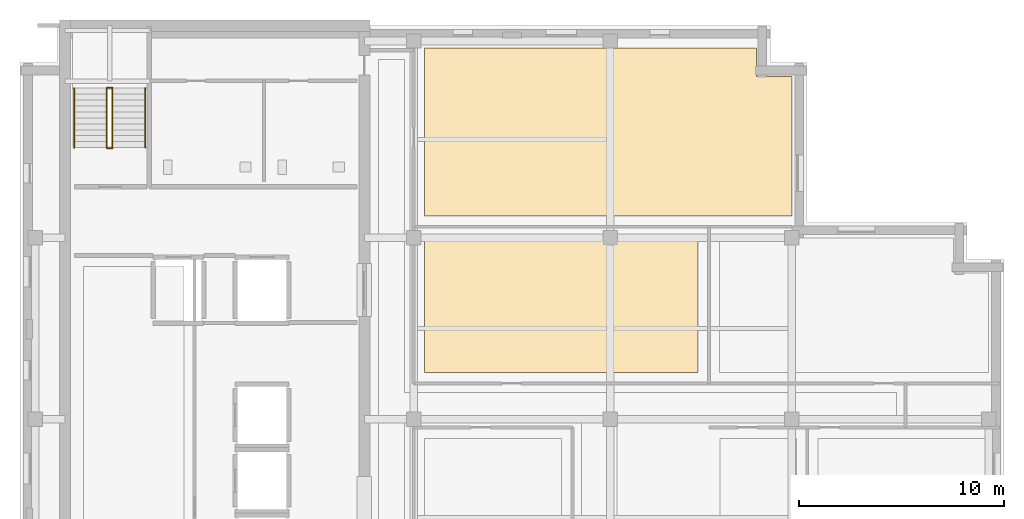
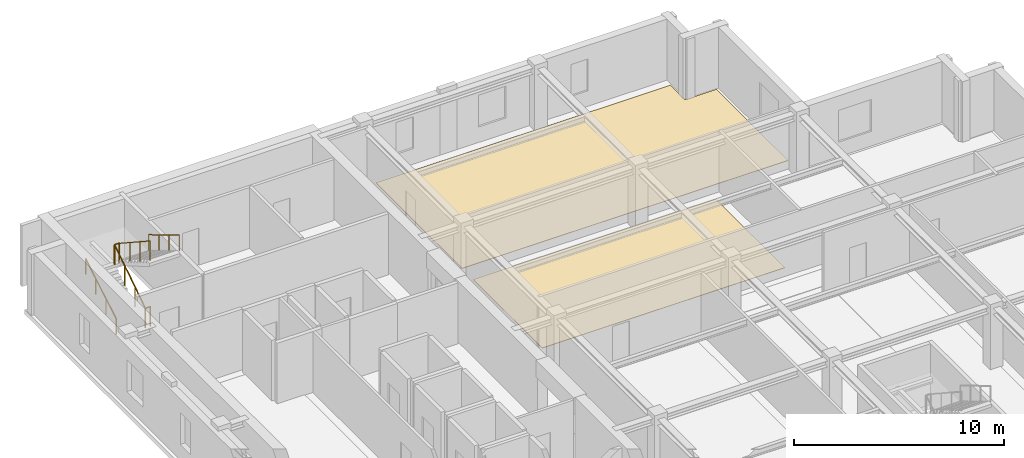
# One storey, part 8 of 10: 6 railings, 2 coverings.
"""IFC4 building model written with IfcOpenShell, lengths in metres."""

from ifc_helpers import new_model, si_unit, direction, frame, origin, origin_2d, place, context, subcontext, project, spatial, polyline, circle, outline, extrude, material, layer, layer_set, type_object, element, save


model = new_model("IFC4")

# Units and contexts
model_context = context("Model", 3, precision=1e-05, world=origin(), true_north=direction((0.0, 1.0)))
body_context = subcontext(model_context, "Body", "Model", "MODEL_VIEW")
ifc_project = project(units=[si_unit("LENGTHUNIT", "METRE"), si_unit("AREAUNIT", "SQUARE_METRE"), si_unit("VOLUMEUNIT", "CUBIC_METRE"), si_unit("PLANEANGLEUNIT", "RADIAN"), si_unit("MASSUNIT", "GRAM", prefix="KILO")], contexts=[model_context])

# Site, building, storey
site_placement = place(None, origin())
site = spatial("IfcSite", under=ifc_project, at=site_placement, CompositionType="ELEMENT")
building_placement = place(site_placement, origin())
building = spatial("IfcBuilding", under=site, at=building_placement, Name="Norrvale University Quadrangle", CompositionType="ELEMENT")
storey_placement = place(building_placement, frame((0.0, 0.0, 292.39990234375)))
storey = spatial("IfcBuildingStorey", under=building, at=storey_placement, Name="L74", CompositionType="ELEMENT", Elevation=292.39990234375)

# Coverings
ifc_material_1 = material(Name="Polished Terrazzo Flooring")
ifc_layer = layer(ifc_material_1, 0.02490234375, Name="Polished Terrazzo Flooring")
ifc_layer_set = layer_set([ifc_layer], Name="Polished Terrazzo Flooring")
covering_type = type_object("IfcCoveringType", Name="Covering Terrazzo Floor 30", PredefinedType="FLOORING", material=ifc_layer_set)
covering_1_placement = place(storey_placement, origin())
element("IfcCovering", 1, at=covering_1_placement, inside=storey, type_object=covering_type, Name="Terrazzo Flooring RM-L74-ME01", PredefinedType="FLOORING", context=body_context, shape_type="SweptSolid", body=[
    extrude(outline(polyline([(19.72998046875, 37.64990234375), (33.070068359375, 37.64990234375), (33.070068359375, 31.080078125), (19.72998046875, 31.080078125), (19.72998046875, 37.64990234375)])), origin(), (0.0, 0.0, 1.0), 0.025146484375),
])
covering_2_placement = place(storey_placement, origin())
element("IfcCovering", 2, at=covering_2_placement, inside=storey, type_object=covering_type, Name="Terrazzo Flooring RM-L74-NE01", PredefinedType="FLOORING", context=body_context, shape_type="SweptSolid", body=[
    extrude(outline(polyline([(37.64990234375, 38.7099609375), (19.72998046875, 38.7099609375), (19.72998046875, 46.919921875), (35.929931640625, 46.919921875), (35.929931640625, 45.530029296875), (37.64990234375, 45.530029296875), (37.64990234375, 38.7099609375)])), origin(), (0.0, 0.0, 1.0), 0.025146484375),
])

# Railings
ifc_material_2 = material(Name="Steel 350W Painted Balustrade", Category="steel")
railing_type_1 = type_object("IfcRailingType", Name="Railing Stair Guard 1100", PredefinedType="GUARDRAIL", material=ifc_material_2)
for number, where, name in (
    (3, (4.239990234375, 42.02001953125, 0.0), "Stair Floor Well Guard ST-02 L74"),
    (4, (4.239990234375, 44.97998046875, 1.900146484375), "Stair Mid-Landing Slot Guard ST-02 L74"),
):
    element("IfcRailing", number, at=place(storey_placement, frame(where)), inside=storey, type_object=railing_type_1, Name=name, PredefinedType="GUARDRAIL", context=body_context, shape_type="SweptSolid", body=[
        extrude(circle(Radius=0.02392578125, at=origin_2d()), frame((0.0, 0.0, 1.1259765625), z_axis=(1.0, 0.0, 0.0), x_axis=(0.0, 1.0, 0.0)), (0.0, 0.0, 1.0), 0.27001953125),
        extrude(circle(Radius=0.02099609375, at=origin_2d()), origin(), (0.0, 0.0, 1.0), 1.101806640625),
        extrude(circle(Radius=0.02099609375, at=origin_2d()), frame((0.27001953125, 0.0, 0.0)), (0.0, 0.0, 1.0), 1.101806640625),
    ])
railing_1_placement = place(storey_placement, frame((4.239990234375, 42.050048828125, 0.0)))
element("IfcRailing", 5, at=railing_1_placement, inside=storey, type_object=railing_type_1, Name="Stair Lower Flight Inner Guard ST-02 L74", PredefinedType="GUARDRAIL", context=body_context, shape_type="SweptSolid", body=[
    extrude(circle(Radius=0.02392578125, at=origin_2d()), frame((0.0, 0.0, 1.1259765625), z_axis=(0.0, 0.836433300813, 0.548068730445), x_axis=(-1.0, 0.0, 0.0)), (0.0, 0.0, 1.0), 3.467041015625),
    extrude(circle(Radius=0.02099609375, at=origin_2d()), origin(), (0.0, 0.0, 1.0), 1.101806640625),
    extrude(circle(Radius=0.02099609375, at=origin_2d()), frame((0.0, 0.966552734375, 0.63330078125)), (0.0, 0.0, 1.0), 1.101806640625),
    extrude(circle(Radius=0.02099609375, at=origin_2d()), frame((0.0, 1.933349609375, 1.266845703125)), (0.0, 0.0, 1.0), 1.101806640625),
    extrude(circle(Radius=0.02099609375, at=origin_2d()), frame((0.0, 2.89990234375, 1.900146484375)), (0.0, 0.0, 1.0), 1.101806640625),
])
railing_2_placement = place(storey_placement, frame((4.510009765625, 44.949951171875, 1.900146484375)))
element("IfcRailing", 6, at=railing_2_placement, inside=storey, type_object=railing_type_1, Name="Stair Upper Flight Inner Guard ST-02 L74", PredefinedType="GUARDRAIL", context=body_context, shape_type="SweptSolid", body=[
    extrude(circle(Radius=0.02392578125, at=origin_2d()), frame((0.0, 0.0, 1.1259765625), z_axis=(0.0, -0.836465582154, 0.548019461216), x_axis=(1.0, 0.0, 0.0)), (0.0, 0.0, 1.0), 3.466796875),
    extrude(circle(Radius=0.02099609375, at=origin_2d()), origin(), (0.0, 0.0, 1.0), 1.101806640625),
    extrude(circle(Radius=0.02099609375, at=origin_2d()), frame((0.0, -0.966552734375, 0.63330078125)), (0.0, 0.0, 1.0), 1.101806640625),
    extrude(circle(Radius=0.02099609375, at=origin_2d()), frame((0.0, -1.933349609375, 1.2666015625)), (0.0, 0.0, 1.0), 1.101806640625),
    extrude(circle(Radius=0.02099609375, at=origin_2d()), frame((0.0, -2.89990234375, 1.89990234375)), (0.0, 0.0, 1.0), 1.101806640625),
])
ifc_material_3 = material(Name="Stainless Steel 316L Handrail", Category="steel")
railing_type_2 = type_object("IfcRailingType", Name="Railing Stair Handrail 920", PredefinedType="HANDRAIL", material=ifc_material_3)
railing_3_placement = place(storey_placement, frame((2.639892578125, 42.050048828125, 0.1728515625)))
element("IfcRailing", 7, at=railing_3_placement, inside=storey, type_object=railing_type_2, Name="Stair Lower Flight Handrail ST-02 L74", PredefinedType="HANDRAIL", context=body_context, shape_type="SweptSolid", body=[
    extrude(circle(Radius=0.02392578125, at=origin_2d()), frame((0.0, 0.0, 0.89599609375), z_axis=(0.0, 0.859141464434, 0.511738159696), x_axis=(-1.0, 0.0, 0.0)), (0.0, 0.0, 1.0), 3.375244140625),
    extrude(circle(Radius=0.02099609375, at=origin_2d()), origin(), (0.0, 0.0, 1.0), 0.871826171875),
    extrude(circle(Radius=0.02099609375, at=origin_2d()), frame((0.0, 0.966552734375, 0.57568359375)), (0.0, 0.0, 1.0), 0.871826171875),
    extrude(circle(Radius=0.02099609375, at=origin_2d()), frame((0.0, 1.933349609375, 1.151611328125)), (0.0, 0.0, 1.0), 0.871826171875),
    extrude(circle(Radius=0.02099609375, at=origin_2d()), frame((0.0, 2.89990234375, 1.727294921875)), (0.0, 0.0, 1.0), 0.871826171875),
])
railing_4_placement = place(storey_placement, frame((6.110107421875, 44.949951171875, 2.07275390625)))
element("IfcRailing", 8, at=railing_4_placement, inside=storey, type_object=railing_type_2, Name="Stair Upper Flight Handrail ST-02 L74", PredefinedType="HANDRAIL", context=body_context, shape_type="SweptSolid", body=[
    extrude(circle(Radius=0.02392578125, at=origin_2d()), frame((0.0, 0.0, 0.89599609375), z_axis=(0.0, -0.859141464434, 0.511738159696), x_axis=(1.0, 0.0, 0.0)), (0.0, 0.0, 1.0), 3.375244140625),
    extrude(circle(Radius=0.02099609375, at=origin_2d()), origin(), (0.0, 0.0, 1.0), 0.871826171875),
    extrude(circle(Radius=0.02099609375, at=origin_2d()), frame((0.0, -0.966552734375, 0.57568359375)), (0.0, 0.0, 1.0), 0.871826171875),
    extrude(circle(Radius=0.02099609375, at=origin_2d()), frame((0.0, -1.933349609375, 1.151611328125)), (0.0, 0.0, 1.0), 0.871826171875),
    extrude(circle(Radius=0.02099609375, at=origin_2d()), frame((0.0, -2.89990234375, 1.727294921875)), (0.0, 0.0, 1.0), 0.871826171875),
])

save(model, "model.ifc")
